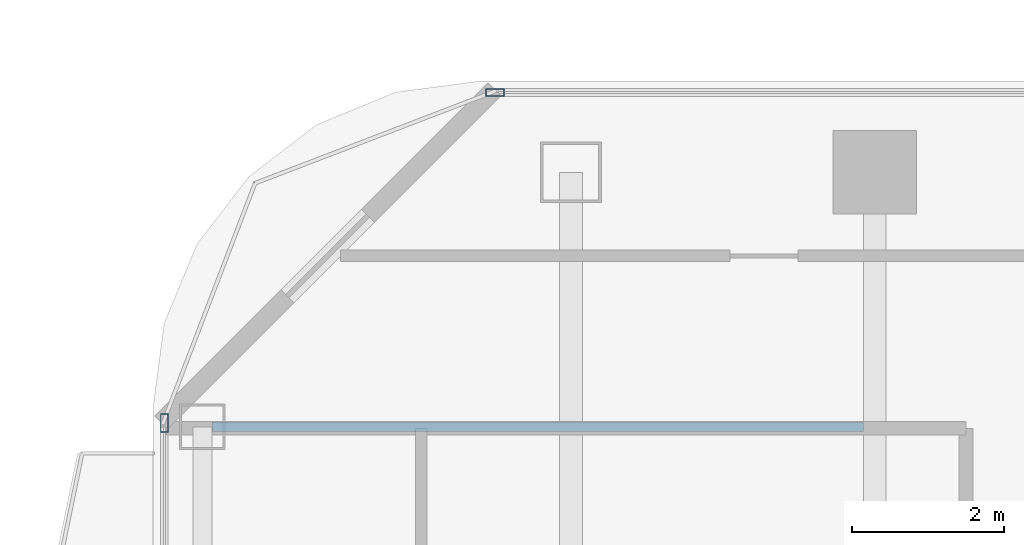
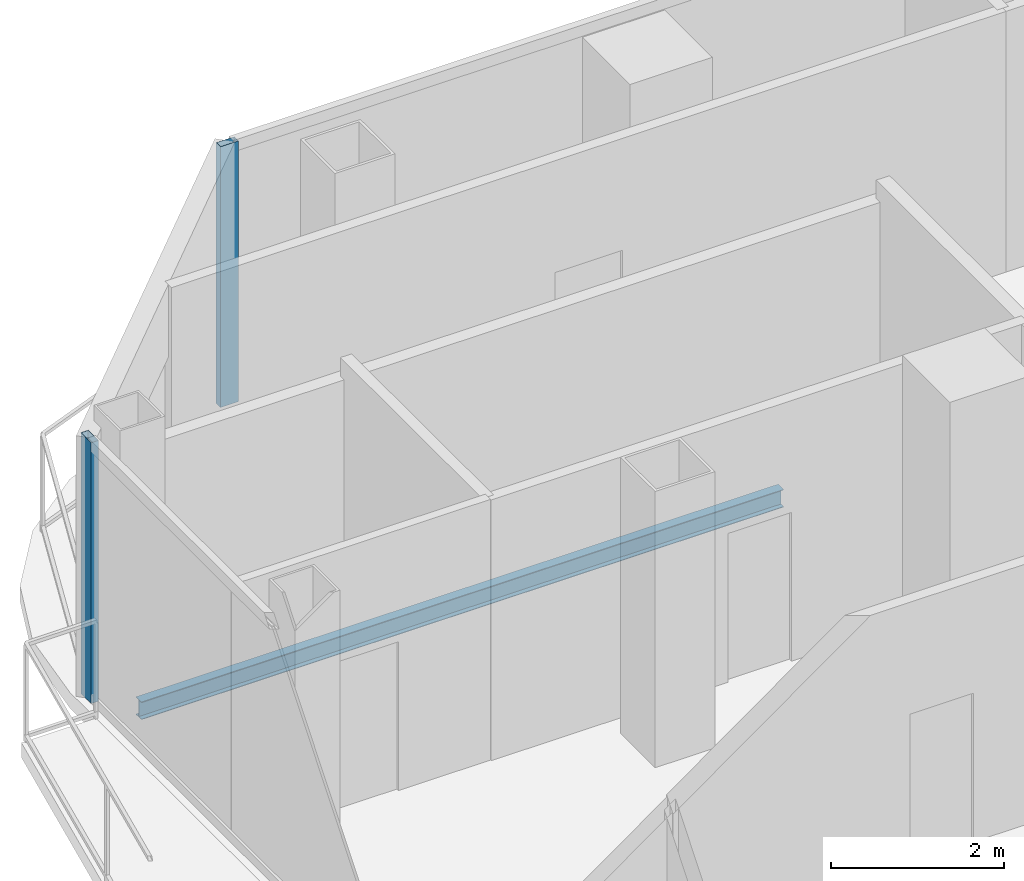
# One storey, part 11 of 23: 2 members, 1 beam, 2 elements without a shape of their own.
"""IFC4 building model written with IfcOpenShell, lengths in metres."""

from ifc_helpers import new_model, si_unit, direction, frame, origin, origin_2d, place, context, subcontext, project, spatial, hollow_rectangle, i_section, extrude, material, layer, layer_set, material_profile, profile_set, type_object, element, aggregate, save


model = new_model("IFC4")

# Units and contexts
model_context = context("Model", 3, precision=1e-05, world=origin(), true_north=direction((0.0, 1.0)))
body_context = subcontext(model_context, "Body", "Model", "MODEL_VIEW")
ifc_project = project(units=[si_unit("LENGTHUNIT", "METRE"), si_unit("AREAUNIT", "SQUARE_METRE"), si_unit("VOLUMEUNIT", "CUBIC_METRE"), si_unit("PLANEANGLEUNIT", "RADIAN"), si_unit("MASSUNIT", "GRAM", prefix="KILO")], contexts=[model_context])

# Site, building, storey
site_placement = place(None, origin())
site = spatial("IfcSite", under=ifc_project, at=site_placement, CompositionType="ELEMENT")
building_placement = place(site_placement, origin())
building = spatial("IfcBuilding", under=site, at=building_placement, Name="Khorvyn Point Tower", CompositionType="ELEMENT")
storey_placement = place(building_placement, frame((0.0, 0.0, 195.300048828125)))
storey = spatial("IfcBuildingStorey", under=building, at=storey_placement, Name="L48", CompositionType="ELEMENT", Elevation=195.300048828125)

# Curtain wall, member
ifc_material_1 = material(Name="Anodised aluminium 6063-T6 and laminated Low-E glass", Category="aluminium")
ifc_layer = layer(ifc_material_1, 0.18994140625)
ifc_layer_set = layer_set([ifc_layer], Name="Stick-Built Acoustic Curtain Wall CW-SYS-03")
curtain_wall_type = type_object("IfcCurtainWallType", Name="Stick-Built Acoustic Curtain Wall CW-SYS-03", PredefinedType="NOTDEFINED", material=ifc_layer_set)
curtain_wall_1_placement = place(storey_placement, origin())
curtain_wall_1 = element("IfcCurtainWall", 1, at=curtain_wall_1_placement, inside=storey, type_object=curtain_wall_type, Name="Curtain Wall", PredefinedType="NOTDEFINED")
ifc_material_2 = material(Name="Anodised aluminium 6063-T6", Category="aluminium")
ifc_material_profile_1 = material_profile(ifc_material_2, hollow_rectangle(XDim=0.10009765625, YDim=0.239990234375, WallThickness=0.0048828125, at=origin_2d()))
ifc_profile_set_1 = profile_set([ifc_material_profile_1], Name="Anodised aluminium 6063-T6 ALU-MUL-100x240")
member_type = type_object("IfcMemberType", Name="Anodised Aluminium 6063-T6 Mullion ALU-MUL-100x240", PredefinedType="MULLION", material=ifc_profile_set_1)
member_1_placement = place(storey_placement, frame((-19.800048828125, 15.85009765625, 0.0), z_axis=(0.0, 0.0, 1.0), x_axis=(0.0, 1.0, 0.0)))
member_1 = element("IfcMember", 2, at=member_1_placement, type_object=member_type, Name="Transom", PredefinedType="MULLION", context=body_context, shape_type="SweptSolid", body=[
    extrude(hollow_rectangle(XDim=0.10009765625, YDim=0.239990234375, WallThickness=0.0048828125, at=origin_2d()), origin(), (0.0, 0.0, 1.0), 3.679931640625),
])
aggregate(curtain_wall_1, [member_1])

curtain_wall_2_placement = place(storey_placement, origin())
curtain_wall_2 = element("IfcCurtainWall", 3, at=curtain_wall_2_placement, inside=storey, type_object=curtain_wall_type, Name="Curtain Wall", PredefinedType="NOTDEFINED")
member_2_placement = place(storey_placement, frame((-24.14990234375, 11.5, 0.0), z_axis=(0.0, 0.0, 1.0), x_axis=(-1.0, 0.0, 0.0)))
member_2 = element("IfcMember", 4, at=member_2_placement, type_object=member_type, Name="Transom", PredefinedType="MULLION", context=body_context, shape_type="SweptSolid", body=[
    extrude(hollow_rectangle(XDim=0.10009765625, YDim=0.239990234375, WallThickness=0.0048828125, at=origin_2d()), origin(), (0.0, 0.0, 1.0), 3.679931640625),
])
aggregate(curtain_wall_2, [member_2])

# Beam
ifc_material_3 = material(Name="Steel S355", Category="steel")
ifc_material_profile_2 = material_profile(ifc_material_3, i_section(OverallWidth=0.125, OverallDepth=0.25, WebThickness=0.006103515625, FlangeThickness=0.009033203125, at=origin_2d()))
ifc_profile_set_2 = profile_set([ifc_material_profile_2], Name="Steel S355 H250x125x6x9")
beam_type = type_object("IfcBeamType", Name="Steel S355 Joist H250x125x6x9", PredefinedType="JOIST", material=ifc_profile_set_2)
beam_placement = place(storey_placement, frame((-23.52490234375, 11.449951171875, -0.344970703125), z_axis=(1.0, 0.0, 0.0), x_axis=(0.0, 1.0, 0.0)))
element("IfcBeam", 5, at=beam_placement, inside=storey, type_object=beam_type, Name="Beam", PredefinedType="JOIST", context=body_context, shape_type="SweptSolid", body=[
    extrude(i_section(OverallWidth=0.125, OverallDepth=0.25, WebThickness=0.006103515625, FlangeThickness=0.009033203125, at=origin_2d()), origin(), (0.0, 0.0, 1.0), 8.574951171875),
])

save(model, "model.ifc")
